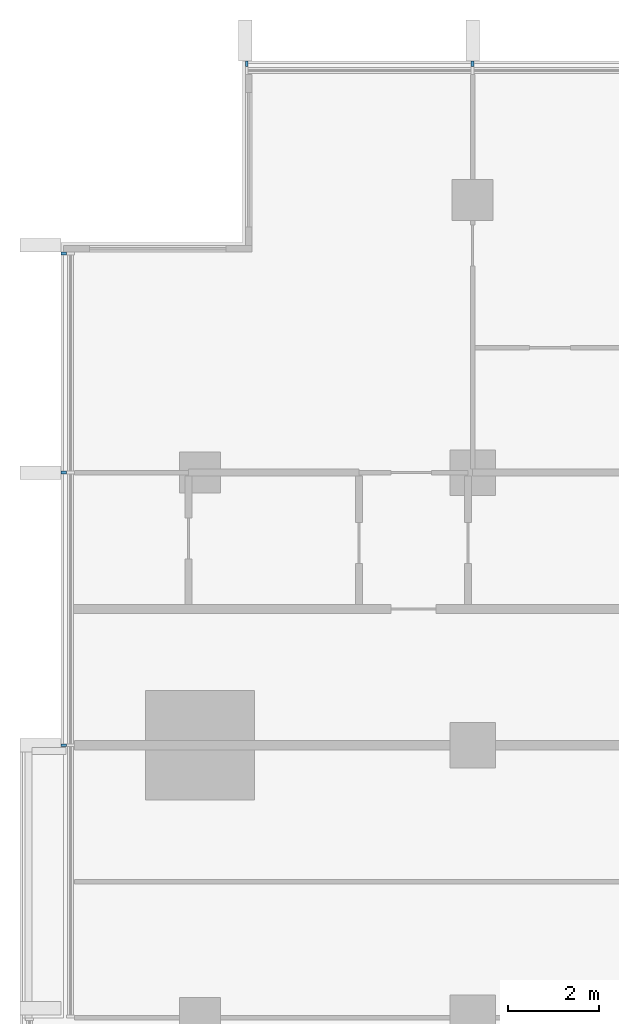
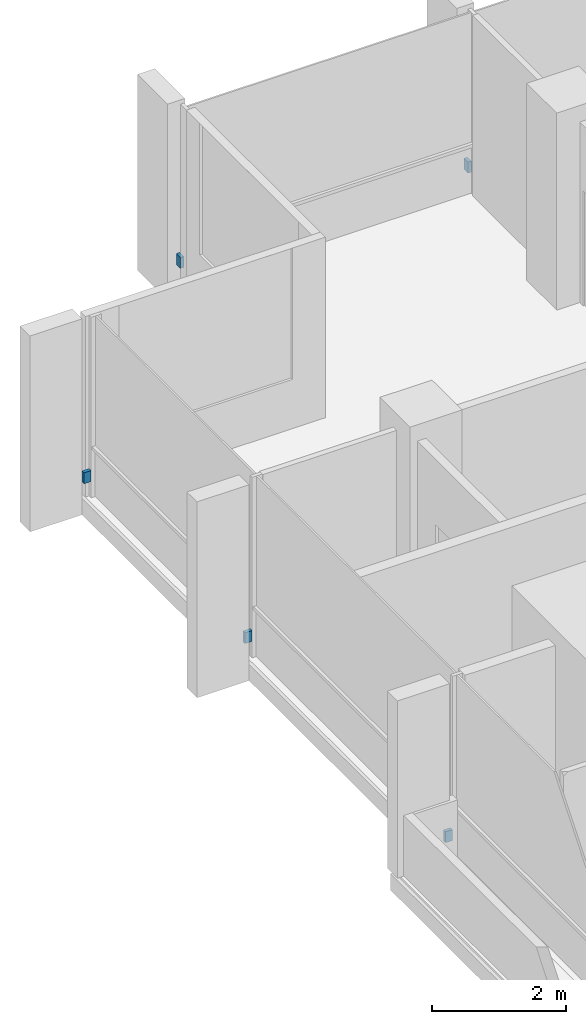
# One storey, part 14 of 16: 5 discrete accessories.
"""IFC4 building model written with IfcOpenShell, lengths in metres."""

from ifc_helpers import new_model, si_unit, direction, frame, origin, origin_2d, place, context, subcontext, project, spatial, rectangle, extrude, material, type_object, element, save


model = new_model("IFC4")

# Units and contexts
model_context = context("Model", 3, precision=1e-05, world=origin(), true_north=direction((0.0, 1.0)))
body_context = subcontext(model_context, "Body", "Model", "MODEL_VIEW")
ifc_project = project(units=[si_unit("LENGTHUNIT", "METRE"), si_unit("AREAUNIT", "SQUARE_METRE"), si_unit("VOLUMEUNIT", "CUBIC_METRE"), si_unit("PLANEANGLEUNIT", "RADIAN"), si_unit("MASSUNIT", "GRAM", prefix="KILO")], contexts=[model_context])

# Site, building, storey
site_placement = place(None, origin())
site = spatial("IfcSite", under=ifc_project, at=site_placement, CompositionType="ELEMENT")
building_placement = place(site_placement, origin())
building = spatial("IfcBuilding", under=site, at=building_placement, Name="Finial Court Residences", CompositionType="ELEMENT")
storey_placement = place(building_placement, frame((0.0, 0.0, 156.5)))
storey = spatial("IfcBuildingStorey", under=building, at=storey_placement, Name="L38", CompositionType="ELEMENT", Elevation=156.5)

# Discrete accessories
ifc_material = material(Name="Stainless steel 316", Category="steel")
discrete_accessory_type = type_object("IfcDiscreteAccessoryType", Name="Fin bracket, stainless steel 60 x 122 x 200", PredefinedType="BRACKET", material=ifc_material)
for number, where, z_axis, x_axis, name in (
    (1, (-15.469970703125, 22.498779296875, 0.2998046875), (0.0, 0.0, 1.0), (1.0, 0.0, 0.0), "E-L38-FIN-N1-BRK"),
    (2, (-10.5, 22.498779296875, 0.2998046875), (0.0, 0.0, 1.0), (1.0, 0.0, 0.0), "E-L38-FIN-N2-BRK"),
):
    element("IfcDiscreteAccessory", number, at=place(storey_placement, frame(where, z_axis=z_axis, x_axis=x_axis)), inside=storey, type_object=discrete_accessory_type, Name=name, PredefinedType="BRACKET", context=body_context, shape_type="SweptSolid", body=[
        extrude(rectangle(XDim=0.06005859375, YDim=0.12255859375, at=origin_2d()), origin(), (0.0, 0.0, 1.0), 0.199951171875),
    ])
for number, where, z_axis, x_axis, name in (
    (3, (-19.498779296875, 7.5, 0.2998046875), (0.0, 0.0, 1.0), (1.0, 0.0, 0.0), "E-L38-FIN-W26-BRK"),
    (4, (-19.498779296875, 13.5, 0.2998046875), (0.0, 0.0, 1.0), (1.0, 0.0, 0.0), "E-L38-FIN-W27-BRK"),
    (5, (-19.498779296875, 18.320068359375, 0.2998046875), (0.0, 0.0, 1.0), (1.0, 0.0, 0.0), "E-L38-FIN-W28-BRK"),
):
    element("IfcDiscreteAccessory", number, at=place(storey_placement, frame(where, z_axis=z_axis, x_axis=x_axis)), inside=storey, type_object=discrete_accessory_type, Name=name, PredefinedType="BRACKET", context=body_context, shape_type="SweptSolid", body=[
        extrude(rectangle(XDim=0.12255859375, YDim=0.06005859375, at=origin_2d()), origin(), (0.0, 0.0, 1.0), 0.199951171875),
    ])

save(model, "model.ifc")
